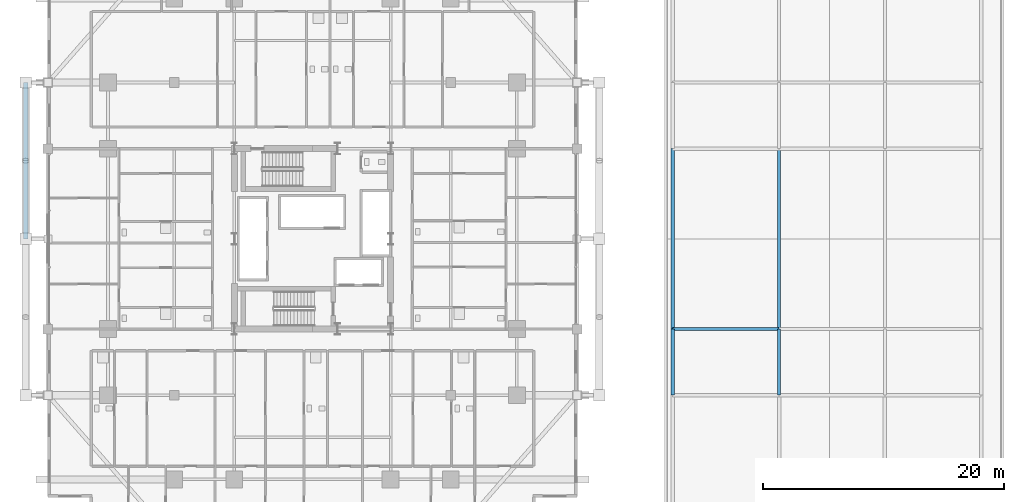
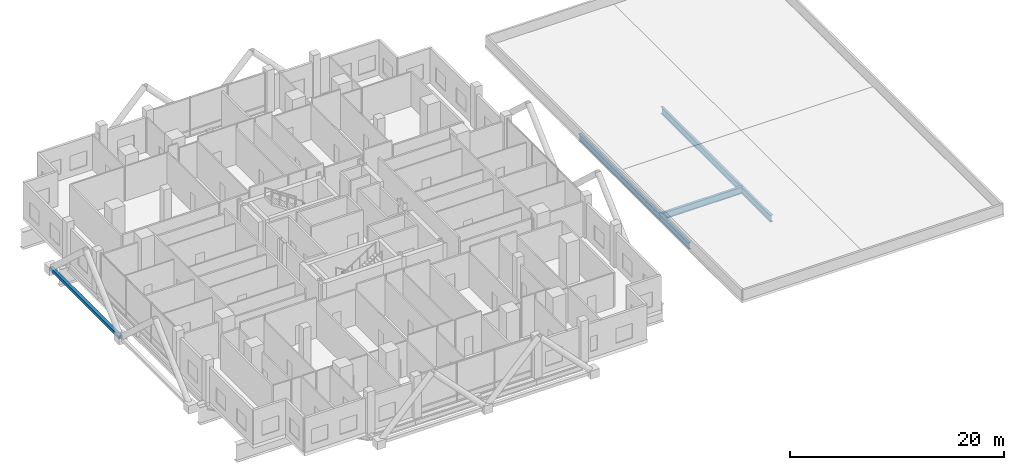
# One storey, part 13 of 33: 5 beams, 1 member.
"""IFC4 building model written with IfcOpenShell, lengths in metres."""

from ifc_helpers import new_model, si_unit, direction, frame, origin, origin_2d, place, context, subcontext, project, spatial, hollow_rectangle, i_section, extrude, material, material_profile, profile_set, type_object, element, save


model = new_model("IFC4")

# Units and contexts
model_context = context("Model", 3, precision=1e-05, world=origin(), true_north=direction((0.0, 1.0)))
body_context = subcontext(model_context, "Body", "Model", "MODEL_VIEW")
ifc_project = project(units=[si_unit("LENGTHUNIT", "METRE"), si_unit("AREAUNIT", "SQUARE_METRE"), si_unit("VOLUMEUNIT", "CUBIC_METRE"), si_unit("PLANEANGLEUNIT", "RADIAN"), si_unit("MASSUNIT", "GRAM", prefix="KILO")], contexts=[model_context])

# Site, building, storey
site_placement = place(None, origin())
site = spatial("IfcSite", under=ifc_project, at=site_placement, CompositionType="ELEMENT")
building_placement = place(site_placement, origin())
building = spatial("IfcBuilding", under=site, at=building_placement, Name="Barlavira Tower and Art Museum", CompositionType="ELEMENT")
storey_placement = place(building_placement, frame((0.0, 0.0, 27.60009765625)))
storey = spatial("IfcBuildingStorey", under=building, at=storey_placement, Name="L05", CompositionType="ELEMENT", Elevation=27.60009765625)

# Beams
ifc_material = material(Name="Steel S355", Category="steel")
ifc_material_profile_1 = material_profile(ifc_material, i_section(OverallWidth=0.26904296875, OverallDepth=0.76806640625, WebThickness=0.016845703125, FlangeThickness=0.026611328125, at=origin_2d()), Name="W760x220.0")
ifc_profile_set_1 = profile_set([ifc_material_profile_1], Name="Steel S355")
beam_type = type_object("IfcBeamType", Name="Museum Long-Span Gallery Girder W760x220 Steel S355", PredefinedType="BEAM", material=ifc_profile_set_1)
beam_1_placement = place(storey_placement, frame((29.949951171875, -13.0, -0.654052734375), z_axis=(0.0, 1.0, 0.0), x_axis=(-1.0, 0.0, 0.0)))
element("IfcBeam", 1, at=beam_1_placement, inside=storey, type_object=beam_type, Name="L05 Museum Girder Y 1-2", PredefinedType="BEAM", context=body_context, shape_type="SweptSolid", body=[
    extrude(i_section(OverallWidth=0.26904296875, OverallDepth=0.76806640625, WebThickness=0.016845703125, FlangeThickness=0.026611328125, at=origin_2d()), origin(), (0.0, 0.0, 1.0), 5.5),
])
beam_2_placement = place(storey_placement, frame((29.949951171875, -7.5, -0.654052734375), z_axis=(0.0, 1.0, 0.0), x_axis=(-1.0, 0.0, 0.0)))
element("IfcBeam", 2, at=beam_2_placement, inside=storey, type_object=beam_type, Name="L05 Museum Girder Y 1-3", PredefinedType="BEAM", context=body_context, shape_type="SweptSolid", body=[
    extrude(i_section(OverallWidth=0.26904296875, OverallDepth=0.76806640625, WebThickness=0.016845703125, FlangeThickness=0.026611328125, at=origin_2d()), origin(), (0.0, 0.0, 1.0), 15.0),
])
beam_3_placement = place(storey_placement, frame((38.800048828125, -13.0, -0.654052734375), z_axis=(0.0, 1.0, 0.0), x_axis=(-1.0, 0.0, 0.0)))
element("IfcBeam", 3, at=beam_3_placement, inside=storey, type_object=beam_type, Name="L05 Museum Girder Y 2-2", PredefinedType="BEAM", context=body_context, shape_type="SweptSolid", body=[
    extrude(i_section(OverallWidth=0.26904296875, OverallDepth=0.76806640625, WebThickness=0.016845703125, FlangeThickness=0.026611328125, at=origin_2d()), origin(), (0.0, 0.0, 1.0), 5.5),
])
beam_4_placement = place(storey_placement, frame((38.800048828125, -7.5, -0.654052734375), z_axis=(0.0, 1.0, 0.0), x_axis=(-1.0, 0.0, 0.0)))
element("IfcBeam", 4, at=beam_4_placement, inside=storey, type_object=beam_type, Name="L05 Museum Girder Y 2-3", PredefinedType="BEAM", context=body_context, shape_type="SweptSolid", body=[
    extrude(i_section(OverallWidth=0.26904296875, OverallDepth=0.76806640625, WebThickness=0.016845703125, FlangeThickness=0.026611328125, at=origin_2d()), origin(), (0.0, 0.0, 1.0), 15.0),
])
beam_5_placement = place(storey_placement, frame((29.949951171875, -7.5, -0.654052734375), z_axis=(1.0, 0.0, 0.0), x_axis=(0.0, 1.0, 0.0)))
element("IfcBeam", 5, at=beam_5_placement, inside=storey, type_object=beam_type, Name="L05 Museum Girder X 3-1", PredefinedType="BEAM", context=body_context, shape_type="SweptSolid", body=[
    extrude(i_section(OverallWidth=0.26904296875, OverallDepth=0.76806640625, WebThickness=0.016845703125, FlangeThickness=0.026611328125, at=origin_2d()), origin(), (0.0, 0.0, 1.0), 8.85009765625),
])

# Member
ifc_material_profile_2 = material_profile(ifc_material, hollow_rectangle(XDim=0.35009765625, YDim=0.35009765625, WallThickness=0.02001953125, at=origin_2d()), Name="SHS 350x350x20.0")
ifc_profile_set_2 = profile_set([ifc_material_profile_2], Name="Steel S355")
member_type = type_object("IfcMemberType", Name="Pale-Metal Exoskeleton Ring Strut SHS 350x350x20 Steel S355", PredefinedType="STRUT", material=ifc_profile_set_2)
member_placement = place(storey_placement, frame((-23.85009765625, 0.0, -0.1201171875), z_axis=(0.0, 1.0, 0.0), x_axis=(-1.0, 0.0, 0.0)))
element("IfcMember", 6, at=member_placement, inside=storey, type_object=member_type, Name="L05 Exoskeleton Ring Strut W", PredefinedType="STRUT", context=body_context, shape_type="SweptSolid", body=[
    extrude(hollow_rectangle(XDim=0.35009765625, YDim=0.35009765625, WallThickness=0.02001953125, at=origin_2d()), origin(), (0.0, 0.0, 1.0), 13.0),
])

save(model, "model.ifc")
